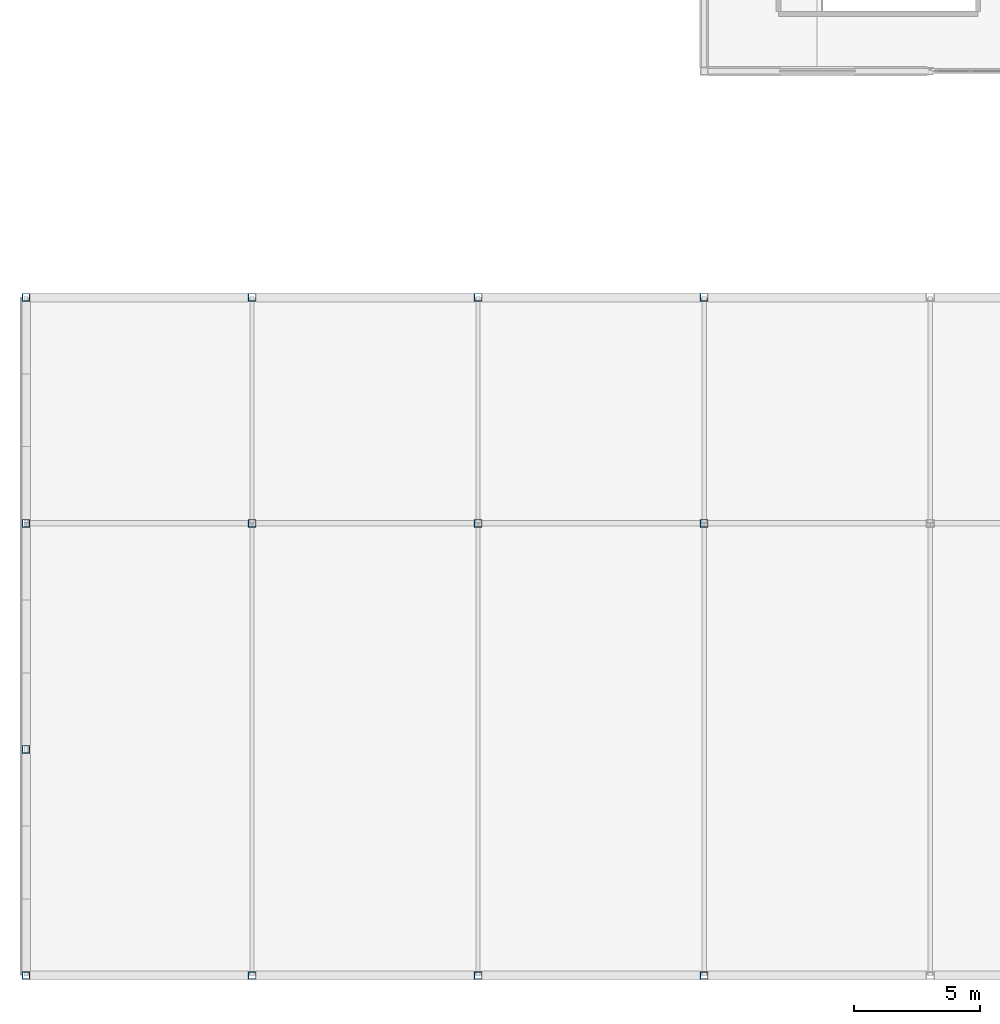
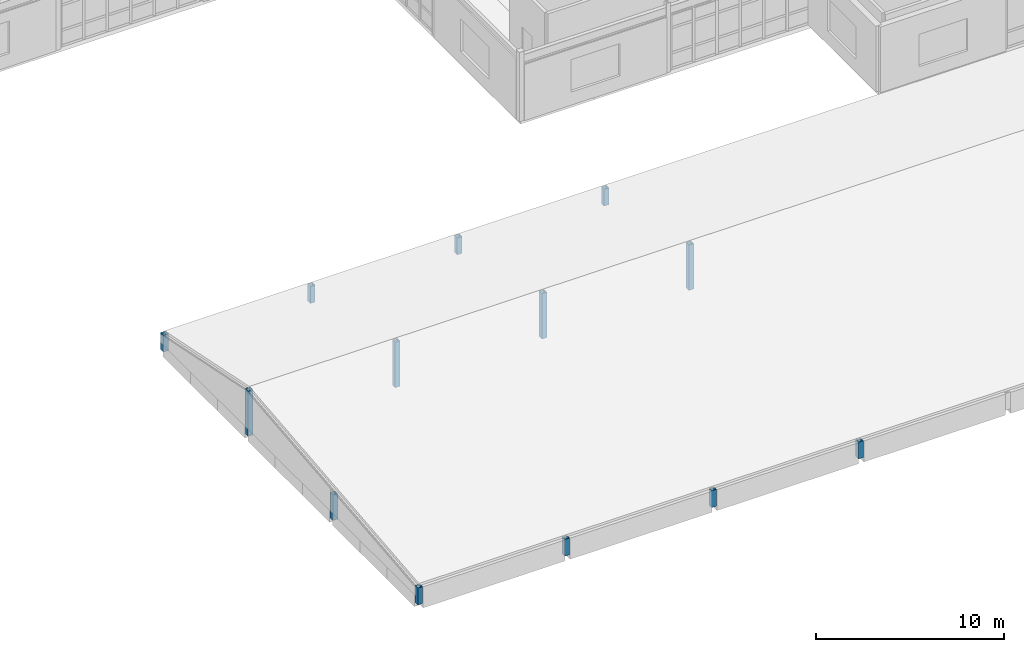
# One storey, part 1 of 81: 13 columns.
"""IFC4 building model written with IfcOpenShell, lengths in metres."""

import ifcopenshell
import ifcopenshell.guid

model = None  # the IFC model being written
_history = None  # IfcOwnerHistory: only IFC2X3 demands one
_inside = {}  # id of a spatial element -> (the spatial element, [elements in it])
_under = {}  # id of a project, library or spatial element -> (it, [spatial elements below it])
_declared = {}  # id of a project -> (the project, [libraries it declares])
_typed = {}  # id of a type object -> (the type object, [elements of that type])
_made_of = {}  # id of a material, layer set ... -> (it, [elements and type objects made of it])


def new_model(schema):
    """Start an empty IFC model of exactly this schema.

    Asked for "IFC4X3", IfcOpenShell would pick the latest addendum, in which some entities
    have other attributes; the version numbers below select the first issue.
    IFC2X3 requires an IfcOwnerHistory on every rooted entity: one is made here for all.
    """
    global model, _history
    if schema == "IFC4X3":
        model = ifcopenshell.file(schema_version=(4, 3, 0, 0))
    else:
        model = ifcopenshell.file(schema=schema)
    _inside.clear()
    _under.clear()
    _declared.clear()
    _typed.clear()
    _made_of.clear()
    _history = None
    if model.schema == "IFC2X3":
        org = make("IfcOrganization", Name="unknown")
        user = make(
            "IfcPersonAndOrganization",
            ThePerson=make("IfcPerson", FamilyName="unknown"),
            TheOrganization=org,
        )
        app = make(
            "IfcApplication",
            ApplicationDeveloper=org,
            Version="unknown",
            ApplicationFullName="unknown",
            ApplicationIdentifier="unknown",
        )
        _history = make(
            "IfcOwnerHistory",
            OwningUser=user,
            OwningApplication=app,
            ChangeAction="ADDED",
            CreationDate=0,
        )
    return model


def make(cls, **values):
    """One entity of the class cls with the attributes given. An attribute that is None is left unset."""
    return model.create_entity(
        cls, **{name: value for name, value in values.items() if value is not None}
    )


def rooted(cls, **values):
    """An entity with a GlobalId (a new one), such as an element, a storey or a relation."""
    return make(cls, GlobalId=ifcopenshell.guid.new(), OwnerHistory=_history, **values)


def si_unit(unit_type, name, prefix=None):
    """IfcSIUnit, for example si_unit("LENGTHUNIT", "METRE", prefix="MILLI")."""
    return make("IfcSIUnit", UnitType=unit_type, Prefix=prefix, Name=name)


def assignment(units):
    """IfcUnitAssignment: the units of a project."""
    return None if units is None else make("IfcUnitAssignment", Units=units)


def point(xyz):
    """IfcCartesianPoint."""
    return None if xyz is None else make("IfcCartesianPoint", Coordinates=xyz)


def direction(xyz):
    """IfcDirection."""
    return None if xyz is None else make("IfcDirection", DirectionRatios=xyz)


def frame(location, z_axis=None, x_axis=None):
    """IfcAxis2Placement3D, a coordinate frame: its origin and axes. An axis left out is left unset."""
    return make(
        "IfcAxis2Placement3D",
        Location=point(location),
        Axis=direction(z_axis),
        RefDirection=direction(x_axis),
    )


def frame_2d(location, x_axis=None):
    """IfcAxis2Placement2D, a coordinate frame in the plane: its origin and x axis."""
    return make(
        "IfcAxis2Placement2D", Location=point(location), RefDirection=direction(x_axis)
    )


def origin():
    """The frame at (0, 0, 0) with its axes left unset."""
    return frame((0.0, 0.0, 0.0))


def origin_2d():
    """The frame at (0, 0) in the plane with its x axis left unset."""
    return frame_2d((0.0, 0.0))


def place(relative_to, where):
    """IfcLocalPlacement: puts the frame where relative to a parent placement (None: the world)."""
    return make(
        "IfcLocalPlacement", PlacementRelTo=relative_to, RelativePlacement=where
    )


def context(
    kind, dimensions, precision=None, world=None, true_north=None, identifier=None
):
    """IfcGeometricRepresentationContext, for example the 3D "Model" context."""
    return make(
        "IfcGeometricRepresentationContext",
        ContextIdentifier=identifier,
        ContextType=kind,
        CoordinateSpaceDimension=dimensions,
        Precision=precision,
        WorldCoordinateSystem=world,
        TrueNorth=true_north,
    )


def subcontext(parent, identifier, kind, view, scale=None):
    """IfcGeometricRepresentationSubContext, for example "Body" below "Model"."""
    return make(
        "IfcGeometricRepresentationSubContext",
        ContextIdentifier=identifier,
        ContextType=kind,
        ParentContext=parent,
        TargetScale=scale,
        TargetView=view,
    )


def project(units=None, contexts=None):
    """IfcProject with its units and contexts."""
    return rooted(
        "IfcProject",
        Name="project",
        RepresentationContexts=contexts,
        UnitsInContext=assignment(units),
    )


def spatial(cls, under=None, at=None, **own):
    """A site, building, storey or space (cls), placed at a placement, below another one or the project."""
    s = rooted(cls, ObjectPlacement=at, **own)
    if under is not None:
        _under.setdefault(under.id(), (under, []))[1].append(s)
    return s


def profile(cls, at=None, kind="AREA", **sizes):
    """A parametric profile (cls). Its sizes go by their IFC names, for example OverallWidth=200.0."""
    return make(cls, ProfileType=kind, Position=at, **sizes)


def hollow_rectangle(**sizes):
    """IfcRectangleHollowProfileDef."""
    return profile("IfcRectangleHollowProfileDef", **sizes)


def extrude(swept, where, along, depth):
    """IfcExtrudedAreaSolid: the profile swept, set in the frame where, extruded along a direction by depth."""
    return make(
        "IfcExtrudedAreaSolid",
        SweptArea=swept,
        Position=where,
        ExtrudedDirection=direction(along),
        Depth=depth,
    )


def shape(context_of_items, identifier, shape_type, items):
    """IfcShapeRepresentation: the items that make up one representation, for example the "Body"."""
    return make(
        "IfcShapeRepresentation",
        ContextOfItems=context_of_items,
        RepresentationIdentifier=identifier,
        RepresentationType=shape_type,
        Items=items,
    )


def material(Name=None, Category=None):
    """IfcMaterial."""
    return make("IfcMaterial", Name=Name, Category=Category)


def material_profile(
    of_material, cross_section, Name=None, Category=None, Priority=None
):
    """IfcMaterialProfile: a cross section and its material."""
    return make(
        "IfcMaterialProfile",
        Name=Name,
        Material=of_material,
        Profile=cross_section,
        Priority=Priority,
        Category=Category,
    )


def profile_set(profiles, Name=None, composite=None):
    """IfcMaterialProfileSet."""
    return make(
        "IfcMaterialProfileSet",
        Name=Name,
        MaterialProfiles=profiles,
        CompositeProfile=composite,
    )


def made_of(thing, what):
    """Note that an element or type object is made of a material, layer set ...; save() writes the relation."""
    if what is not None:
        _made_of.setdefault(what.id(), (what, []))[1].append(thing)
    return thing


def type_object(cls, material=None, **own):
    """A type object (cls), such as IfcWallType, which elements share."""
    return made_of(rooted(cls, **own), material)


def element(
    cls,
    number,
    at=None,
    inside=None,
    cuts=None,
    type_object=None,
    material=None,
    context=None,
    identifier="Body",
    shape_type=None,
    held_by="IfcProductDefinitionShape",
    body=None,
    shapes=None,
    **own,
):
    """One element of the class cls, such as IfcWall. Its Tag is "e" and its number.

    at: its placement. inside: the storey or other place that contains it. cuts: it is an
    opening in that element (IfcRelVoidsElement). A single representation is given by context,
    identifier, shape_type and body (its items); several are given by shapes. held_by: the class
    of the entity that holds the representations. save() writes the other relations.
    """
    e = rooted(cls, Tag="e%d" % number, ObjectPlacement=at, **own)
    if body is not None:
        shapes = [shape(context, identifier, shape_type, body)]
    if shapes is not None:
        e.Representation = make(held_by, Representations=shapes)
    if inside is not None:
        _inside.setdefault(inside.id(), (inside, []))[1].append(e)
    if cuts is not None:
        rooted(
            "IfcRelVoidsElement", RelatingBuildingElement=cuts, RelatedOpeningElement=e
        )
    if type_object is not None:
        _typed.setdefault(type_object.id(), (type_object, []))[1].append(e)
    return made_of(e, material)


def aggregate(whole, parts):
    """IfcRelAggregates: a whole, such as a stair, and the parts it consists of."""
    return rooted("IfcRelAggregates", RelatingObject=whole, RelatedObjects=parts)


def save(model, path):
    """Write the relations noted so far, then the file.

    IfcRelAggregates (storeys below a building ...), IfcRelContainedInSpatialStructure (elements
    in a storey), IfcRelDefinesByType, IfcRelAssociatesMaterial and IfcRelDeclares: one each for
    every whole, place, type object, material and project.
    """
    for whole, parts in _under.values():
        aggregate(whole, parts)
    for where, things in _inside.values():
        rooted(
            "IfcRelContainedInSpatialStructure",
            RelatedElements=things,
            RelatingStructure=where,
        )
    for kind, things in _typed.values():
        rooted("IfcRelDefinesByType", RelatedObjects=things, RelatingType=kind)
    for what, things in _made_of.values():
        rooted("IfcRelAssociatesMaterial", RelatedObjects=things, RelatingMaterial=what)
    for by, libraries in _declared.values():
        rooted("IfcRelDeclares", RelatingContext=by, RelatedDefinitions=libraries)
    model.write(path)


model = new_model("IFC4")

# Units and contexts
model_context = context("Model", 3, precision=1e-05, world=origin(), true_north=direction((0.0, 1.0)))
body_context = subcontext(model_context, "Body", "Model", "MODEL_VIEW")
ifc_project = project(units=[si_unit("LENGTHUNIT", "METRE"), si_unit("AREAUNIT", "SQUARE_METRE"), si_unit("VOLUMEUNIT", "CUBIC_METRE"), si_unit("PLANEANGLEUNIT", "RADIAN"), si_unit("MASSUNIT", "GRAM", prefix="KILO")], contexts=[model_context])

# Site, building, storey
site_placement = place(None, origin())
site = spatial("IfcSite", under=ifc_project, at=site_placement, CompositionType="ELEMENT")
building_placement = place(site_placement, origin())
building = spatial("IfcBuilding", under=site, at=building_placement, Name="Glasvene Arena", CompositionType="ELEMENT")
storey_placement = place(building_placement, frame((0.0, 0.0, 15.0)))
storey = spatial("IfcBuildingStorey", under=building, at=storey_placement, Name="L03", CompositionType="ELEMENT", Elevation=15.0)

# Columns
ifc_material = material(Name="Steel S355J2", Category="steel")
ifc_material_profile = material_profile(ifc_material, hollow_rectangle(XDim=0.300048828125, YDim=0.300048828125, WallThickness=0.012451171875, at=origin_2d()), Name="SHS 300x300x12.5")
ifc_profile_set = profile_set([ifc_material_profile], Name="Steel S355J2")
column_type = type_object("IfcColumnType", Name="COL-W-SHS300", PredefinedType="COLUMN", material=ifc_profile_set)
for number, where, z_axis, x_axis, name in (
    (1, (0.0, 0.0, 0.0), (0.0, 0.0, 1.0), (1.0, 0.0, 0.0), "Wing roof eave post V2-S-0"),
    (2, (0.0, 27.0, 0.0), (0.0, 0.0, 1.0), (1.0, 0.0, 0.0), "Wing roof eave post V2-N-0"),
):
    element("IfcColumn", number, at=place(storey_placement, frame(where, z_axis=z_axis, x_axis=x_axis)), inside=storey, type_object=column_type, Name=name, PredefinedType="COLUMN", context=body_context, shape_type="SweptSolid", body=[
        extrude(hollow_rectangle(XDim=0.300048828125, YDim=0.300048828125, WallThickness=0.012451171875, at=origin_2d()), origin(), (0.0, 0.0, 1.0), 1.090087890625),
    ])
column_1_placement = place(storey_placement, frame((0.0, 18.0, 0.0), z_axis=(0.0, 0.0, 1.0), x_axis=(1.0, 0.0, 0.0)))
element("IfcColumn", 3, at=column_1_placement, inside=storey, type_object=column_type, Name="Wing roof ridge post V2-0", PredefinedType="COLUMN", context=body_context, shape_type="SweptSolid", body=[
    extrude(hollow_rectangle(XDim=0.300048828125, YDim=0.300048828125, WallThickness=0.012451171875, at=origin_2d()), origin(), (0.0, 0.0, 1.0), 2.93994140625),
])
for number, where, z_axis, x_axis, name in (
    (4, (9.0, 0.0, 0.0), (0.0, 0.0, 1.0), (1.0, 0.0, 0.0), "Wing roof eave post V2-S-1"),
    (5, (9.0, 27.0, 0.0), (0.0, 0.0, 1.0), (1.0, 0.0, 0.0), "Wing roof eave post V2-N-1"),
):
    element("IfcColumn", number, at=place(storey_placement, frame(where, z_axis=z_axis, x_axis=x_axis)), inside=storey, type_object=column_type, Name=name, PredefinedType="COLUMN", context=body_context, shape_type="SweptSolid", body=[
        extrude(hollow_rectangle(XDim=0.300048828125, YDim=0.300048828125, WallThickness=0.012451171875, at=origin_2d()), origin(), (0.0, 0.0, 1.0), 1.090087890625),
    ])
column_2_placement = place(storey_placement, frame((9.0, 18.0, 0.0), z_axis=(0.0, 0.0, 1.0), x_axis=(1.0, 0.0, 0.0)))
element("IfcColumn", 6, at=column_2_placement, inside=storey, type_object=column_type, Name="Wing roof ridge post V2-1", PredefinedType="COLUMN", context=body_context, shape_type="SweptSolid", body=[
    extrude(hollow_rectangle(XDim=0.300048828125, YDim=0.300048828125, WallThickness=0.012451171875, at=origin_2d()), origin(), (0.0, 0.0, 1.0), 2.93994140625),
])
for number, where, z_axis, x_axis, name in (
    (7, (18.0, 0.0, 0.0), (0.0, 0.0, 1.0), (1.0, 0.0, 0.0), "Wing roof eave post V2-S-2"),
    (8, (18.0, 27.0, 0.0), (0.0, 0.0, 1.0), (1.0, 0.0, 0.0), "Wing roof eave post V2-N-2"),
):
    element("IfcColumn", number, at=place(storey_placement, frame(where, z_axis=z_axis, x_axis=x_axis)), inside=storey, type_object=column_type, Name=name, PredefinedType="COLUMN", context=body_context, shape_type="SweptSolid", body=[
        extrude(hollow_rectangle(XDim=0.300048828125, YDim=0.300048828125, WallThickness=0.012451171875, at=origin_2d()), origin(), (0.0, 0.0, 1.0), 1.090087890625),
    ])
column_3_placement = place(storey_placement, frame((18.0, 18.0, 0.0), z_axis=(0.0, 0.0, 1.0), x_axis=(1.0, 0.0, 0.0)))
element("IfcColumn", 9, at=column_3_placement, inside=storey, type_object=column_type, Name="Wing roof ridge post V2-2", PredefinedType="COLUMN", context=body_context, shape_type="SweptSolid", body=[
    extrude(hollow_rectangle(XDim=0.300048828125, YDim=0.300048828125, WallThickness=0.012451171875, at=origin_2d()), origin(), (0.0, 0.0, 1.0), 2.93994140625),
])
for number, where, z_axis, x_axis, name in (
    (10, (27.0, 0.0, 0.0), (0.0, 0.0, 1.0), (1.0, 0.0, 0.0), "Wing roof eave post V2-S-3"),
    (11, (27.0, 27.0, 0.0), (0.0, 0.0, 1.0), (1.0, 0.0, 0.0), "Wing roof eave post V2-N-3"),
):
    element("IfcColumn", number, at=place(storey_placement, frame(where, z_axis=z_axis, x_axis=x_axis)), inside=storey, type_object=column_type, Name=name, PredefinedType="COLUMN", context=body_context, shape_type="SweptSolid", body=[
        extrude(hollow_rectangle(XDim=0.300048828125, YDim=0.300048828125, WallThickness=0.012451171875, at=origin_2d()), origin(), (0.0, 0.0, 1.0), 1.090087890625),
    ])
column_4_placement = place(storey_placement, frame((27.0, 18.0, 0.0), z_axis=(0.0, 0.0, 1.0), x_axis=(1.0, 0.0, 0.0)))
element("IfcColumn", 12, at=column_4_placement, inside=storey, type_object=column_type, Name="Wing roof ridge post V2-3", PredefinedType="COLUMN", context=body_context, shape_type="SweptSolid", body=[
    extrude(hollow_rectangle(XDim=0.300048828125, YDim=0.300048828125, WallThickness=0.012451171875, at=origin_2d()), origin(), (0.0, 0.0, 1.0), 2.93994140625),
])
column_5_placement = place(storey_placement, frame((0.0, 9.0, 0.0), z_axis=(0.0, 0.0, 1.0), x_axis=(1.0, 0.0, 0.0)))
element("IfcColumn", 13, at=column_5_placement, inside=storey, type_object=column_type, Name="Wing roof gable post V2-GW-1", PredefinedType="COLUMN", context=body_context, shape_type="SweptSolid", body=[
    extrude(hollow_rectangle(XDim=0.300048828125, YDim=0.300048828125, WallThickness=0.012451171875, at=origin_2d()), origin(), (0.0, 0.0, 1.0), 1.663330078125),
])

save(model, "model.ifc")
